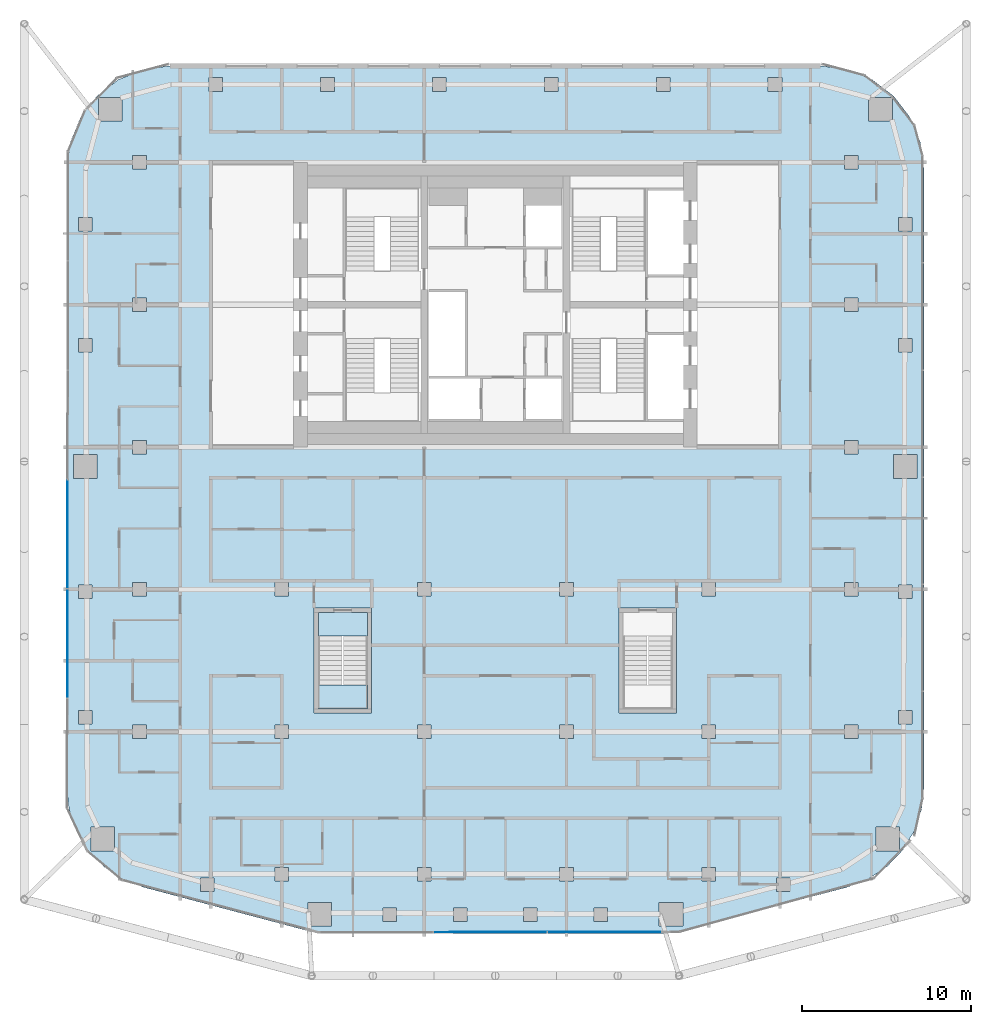
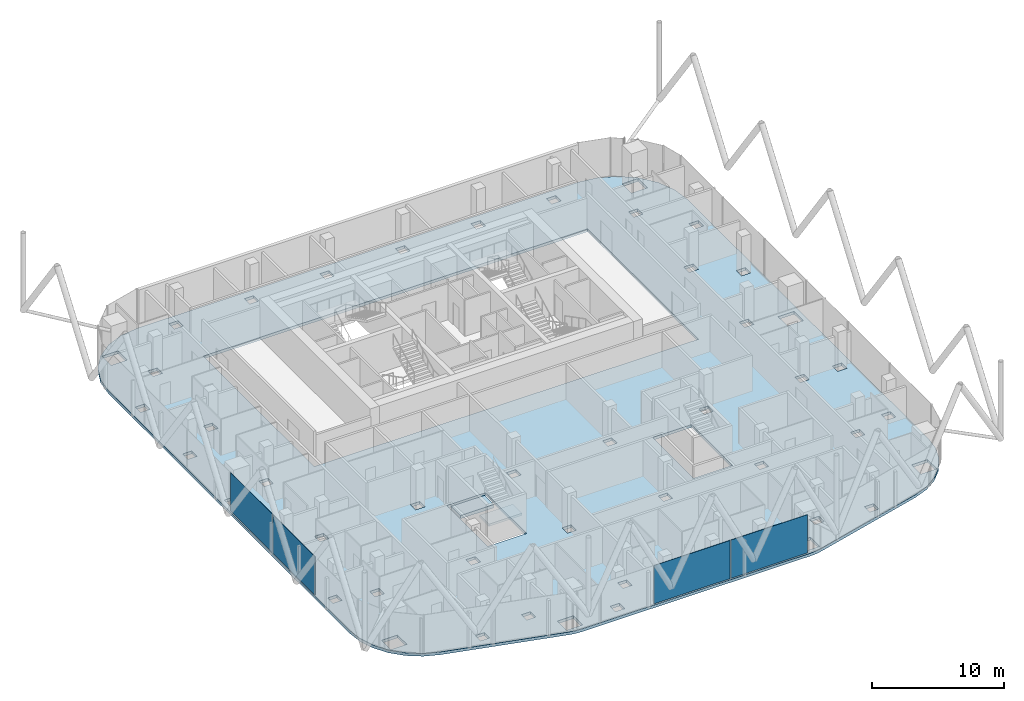
# One storey, part 15 of 28: 4 plates, 3 slabs, 3 elements without a shape of their own.
"""IFC4 building model written with IfcOpenShell, lengths in metres."""

from ifc_helpers import new_model, si_unit, direction, frame, origin, origin_2d, place, context, subcontext, project, spatial, polyline, rectangle, outline, extrude, material, layer, layer_set, type_object, element, aggregate, save


model = new_model("IFC4")

# Units and contexts
model_context = context("Model", 3, precision=1e-05, world=origin(), true_north=direction((0.0, 1.0)))
body_context = subcontext(model_context, "Body", "Model", "MODEL_VIEW")
ifc_project = project(units=[si_unit("LENGTHUNIT", "METRE"), si_unit("AREAUNIT", "SQUARE_METRE"), si_unit("VOLUMEUNIT", "CUBIC_METRE"), si_unit("PLANEANGLEUNIT", "RADIAN"), si_unit("MASSUNIT", "GRAM", prefix="KILO")], contexts=[model_context])

# Site, building, storey
site_placement = place(None, origin())
site = spatial("IfcSite", under=ifc_project, at=site_placement, CompositionType="ELEMENT")
building_placement = place(site_placement, origin())
building = spatial("IfcBuilding", under=site, at=building_placement, Name="Marenta Gate Hotel Tower", CompositionType="ELEMENT")
storey_placement = place(building_placement, frame((0.0, 0.0, 198.5)))
storey = spatial("IfcBuildingStorey", under=building, at=storey_placement, Name="L45", CompositionType="ELEMENT", Elevation=198.5)

# Slab
ifc_material_1 = material(Name="Concrete C35", Category="concrete")
ifc_layer_1 = layer(ifc_material_1, 0.260009765625)
ifc_layer_set_1 = layer_set([ifc_layer_1], Name="Concrete C35")
slab_type_1 = type_object("IfcSlabType", Name="Concrete floor slab 260", PredefinedType="FLOOR", material=ifc_layer_set_1)
slab_1_placement = place(storey_placement, frame((0.0, 0.0, -0.260009765625)))
element("IfcSlab", 1, at=slab_1_placement, inside=storey, type_object=slab_type_1, Name="L45-SL-1", PredefinedType="FLOOR", context=body_context, shape_type="SweptSolid", body=[
    extrude(outline(polyline([(-23.11376953125, -24.76416015625), (-24.035400390625, -23.803955078125), (-24.72705078125, -22.6669921875), (-25.155517578125, -21.4072265625), (-25.300048828125, -20.08984375), (-25.300048828125, 16.406494140625), (-25.093017578125, 17.97900390625), (-24.483642578125, 19.450439453125), (-23.513916015625, 20.7138671875), (-22.25048828125, 21.68359375), (-20.779052734375, 22.29296875), (-19.20654296875, 22.5), (19.20654296875, 22.5), (20.779052734375, 22.29296875), (22.25048828125, 21.68359375), (23.513916015625, 20.7138671875), (24.483642578125, 19.450439453125), (25.093017578125, 17.97900390625), (25.300048828125, 16.406494140625), (25.300048828125, -20.08984375), (25.155517578125, -21.4072265625), (24.72705078125, -22.6669921875), (24.035400390625, -23.803955078125), (23.11376953125, -24.76416015625), (22.005859375, -25.501220703125), (20.76953125, -25.978759765625), (11.026611328125, -28.563720703125), (10.508544921875, -28.665771484375), (9.981689453125, -28.699951171875), (-9.981689453125, -28.699951171875), (-10.508544921875, -28.665771484375), (-11.026611328125, -28.563720703125), (-20.76953125, -25.978759765625), (-22.005859375, -25.501220703125), (-23.11376953125, -24.76416015625)]), holes=[polyline([(-16.800048828125, 0.0), (16.800048828125, 0.0), (16.800048828125, 16.800048828125), (-16.800048828125, 16.800048828125), (-16.800048828125, 0.0)]), polyline([(-16.606689453125, -25.439208984375), (-17.40673828125, -25.439208984375), (-17.40673828125, -26.239013671875), (-16.606689453125, -26.239013671875), (-16.606689453125, -25.439208984375)]), polyline([(-12.199951171875, -25.60009765625), (-12.199951171875, -24.800048828125), (-13.0, -24.800048828125), (-13.0, -25.60009765625), (-12.199951171875, -25.60009765625)]), polyline([(-22.462890625, -23.8330078125), (-22.462890625, -22.43310546875), (-23.863037109375, -22.43310546875), (-23.863037109375, -23.8330078125), (-22.462890625, -23.8330078125)]), polyline([(-12.199951171875, -16.39990234375), (-13.0, -16.39990234375), (-13.0, -17.199951171875), (-12.199951171875, -17.199951171875), (-12.199951171875, -16.39990234375)]), polyline([(-20.60009765625, -17.199951171875), (-20.60009765625, -16.39990234375), (-21.39990234375, -16.39990234375), (-21.39990234375, -17.199951171875), (-20.60009765625, -17.199951171875)]), polyline([(-23.800048828125, -16.351806640625), (-23.800048828125, -15.552001953125), (-24.60009765625, -15.552001953125), (-24.60009765625, -16.351806640625), (-23.800048828125, -16.351806640625)]), polyline([(-23.800048828125, -8.15087890625), (-24.60009765625, -8.15087890625), (-24.60009765625, -8.950927734375), (-23.800048828125, -8.950927734375), (-23.800048828125, -8.15087890625)]), polyline([(-12.199951171875, -8.800048828125), (-12.199951171875, -8.0), (-13.0, -8.0), (-13.0, -8.800048828125), (-12.199951171875, -8.800048828125)]), polyline([(-20.60009765625, -8.800048828125), (-20.60009765625, -8.0), (-21.39990234375, -8.0), (-21.39990234375, -8.800048828125), (-20.60009765625, -8.800048828125)]), polyline([(-23.5, -0.449951171875), (-24.89990234375, -0.449951171875), (-24.89990234375, -1.85009765625), (-23.5, -1.85009765625), (-23.5, -0.449951171875)]), polyline([(-20.60009765625, -0.39990234375), (-20.60009765625, 0.39990234375), (-21.39990234375, 0.39990234375), (-21.39990234375, -0.39990234375), (-20.60009765625, -0.39990234375)]), polyline([(-23.800048828125, 5.603271484375), (-23.800048828125, 6.4033203125), (-24.60009765625, 6.4033203125), (-24.60009765625, 5.603271484375), (-23.800048828125, 5.603271484375)]), polyline([(-20.60009765625, 8.800048828125), (-21.39990234375, 8.800048828125), (-21.39990234375, 8.0), (-20.60009765625, 8.0), (-20.60009765625, 8.800048828125)]), polyline([(-23.800048828125, 12.75634765625), (-23.800048828125, 13.556396484375), (-24.60009765625, 13.556396484375), (-24.60009765625, 12.75634765625), (-23.800048828125, 12.75634765625)]), polyline([(-20.60009765625, 16.39990234375), (-20.60009765625, 17.199951171875), (-21.39990234375, 17.199951171875), (-21.39990234375, 16.39990234375), (-20.60009765625, 16.39990234375)]), polyline([(-22.035400390625, 20.635498046875), (-23.435546875, 20.635498046875), (-23.435546875, 19.235595703125), (-22.035400390625, 19.235595703125), (-22.035400390625, 20.635498046875)]), polyline([(-16.10693359375, 21.0), (-16.10693359375, 21.800048828125), (-16.906982421875, 21.800048828125), (-16.906982421875, 21.0), (-16.10693359375, 21.0)]), polyline([(-5.820068359375, -28.0), (-5.820068359375, -27.199951171875), (-6.6201171875, -27.199951171875), (-6.6201171875, -28.0), (-5.820068359375, -28.0)]), polyline([(6.6201171875, -27.199951171875), (5.820068359375, -27.199951171875), (5.820068359375, -28.0), (6.6201171875, -28.0), (6.6201171875, -27.199951171875)]), polyline([(2.473388671875, -28.0), (2.473388671875, -27.199951171875), (1.67333984375, -27.199951171875), (1.67333984375, -28.0), (2.473388671875, -28.0)]), polyline([(-1.67333984375, -28.0), (-1.67333984375, -27.199951171875), (-2.473388671875, -27.199951171875), (-2.473388671875, -28.0), (-1.67333984375, -28.0)]), polyline([(-9.666259765625, -28.27490234375), (-9.666259765625, -26.874755859375), (-11.06640625, -26.874755859375), (-11.06640625, -28.27490234375), (-9.666259765625, -28.27490234375)]), polyline([(11.06640625, -28.27490234375), (11.06640625, -26.874755859375), (9.666259765625, -26.874755859375), (9.666259765625, -28.27490234375), (11.06640625, -28.27490234375)]), polyline([(13.0, -25.60009765625), (13.0, -24.800048828125), (12.199951171875, -24.800048828125), (12.199951171875, -25.60009765625), (13.0, -25.60009765625)]), polyline([(4.60009765625, -25.60009765625), (4.60009765625, -24.800048828125), (3.800048828125, -24.800048828125), (3.800048828125, -25.60009765625), (4.60009765625, -25.60009765625)]), polyline([(-3.800048828125, -24.800048828125), (-4.60009765625, -24.800048828125), (-4.60009765625, -25.60009765625), (-3.800048828125, -25.60009765625), (-3.800048828125, -24.800048828125)]), polyline([(4.60009765625, -17.199951171875), (4.60009765625, -16.39990234375), (3.800048828125, -16.39990234375), (3.800048828125, -17.199951171875), (4.60009765625, -17.199951171875)]), polyline([(-3.800048828125, -17.199951171875), (-3.800048828125, -16.39990234375), (-4.60009765625, -16.39990234375), (-4.60009765625, -17.199951171875), (-3.800048828125, -17.199951171875)]), polyline([(4.60009765625, -8.0), (3.800048828125, -8.0), (3.800048828125, -8.800048828125), (4.60009765625, -8.800048828125), (4.60009765625, -8.0)]), polyline([(-3.800048828125, -8.800048828125), (-3.800048828125, -8.0), (-4.60009765625, -8.0), (-4.60009765625, -8.800048828125), (-3.800048828125, -8.800048828125)]), polyline([(-2.9013671875, 21.0), (-2.9013671875, 21.800048828125), (-3.701416015625, 21.800048828125), (-3.701416015625, 21.0), (-2.9013671875, 21.0)]), polyline([(3.701416015625, 21.800048828125), (2.9013671875, 21.800048828125), (2.9013671875, 21.0), (3.701416015625, 21.0), (3.701416015625, 21.800048828125)]), polyline([(10.30419921875, 21.0), (10.30419921875, 21.800048828125), (9.504150390625, 21.800048828125), (9.504150390625, 21.0), (10.30419921875, 21.0)]), polyline([(-9.504150390625, 21.0), (-9.504150390625, 21.800048828125), (-10.30419921875, 21.800048828125), (-10.30419921875, 21.0), (-9.504150390625, 21.0)]), polyline([(17.40673828125, -25.439208984375), (16.606689453125, -25.439208984375), (16.606689453125, -26.239013671875), (17.40673828125, -26.239013671875), (17.40673828125, -25.439208984375)]), polyline([(23.863037109375, -23.8330078125), (23.863037109375, -22.43310546875), (22.462890625, -22.43310546875), (22.462890625, -23.8330078125), (23.863037109375, -23.8330078125)]), polyline([(13.0, -17.199951171875), (13.0, -16.39990234375), (12.199951171875, -16.39990234375), (12.199951171875, -17.199951171875), (13.0, -17.199951171875)]), polyline([(21.39990234375, -16.39990234375), (20.60009765625, -16.39990234375), (20.60009765625, -17.199951171875), (21.39990234375, -17.199951171875), (21.39990234375, -16.39990234375)]), polyline([(24.60009765625, -16.351806640625), (24.60009765625, -15.552001953125), (23.800048828125, -15.552001953125), (23.800048828125, -16.351806640625), (24.60009765625, -16.351806640625)]), polyline([(24.60009765625, -8.950927734375), (24.60009765625, -8.15087890625), (23.800048828125, -8.15087890625), (23.800048828125, -8.950927734375), (24.60009765625, -8.950927734375)]), polyline([(13.0, -8.0), (12.199951171875, -8.0), (12.199951171875, -8.800048828125), (13.0, -8.800048828125), (13.0, -8.0)]), polyline([(21.39990234375, -8.800048828125), (21.39990234375, -8.0), (20.60009765625, -8.0), (20.60009765625, -8.800048828125), (21.39990234375, -8.800048828125)]), polyline([(24.89990234375, -1.85009765625), (24.89990234375, -0.449951171875), (23.5, -0.449951171875), (23.5, -1.85009765625), (24.89990234375, -1.85009765625)]), polyline([(21.39990234375, 0.39990234375), (20.60009765625, 0.39990234375), (20.60009765625, -0.39990234375), (21.39990234375, -0.39990234375), (21.39990234375, 0.39990234375)]), polyline([(24.60009765625, 5.603271484375), (24.60009765625, 6.4033203125), (23.800048828125, 6.4033203125), (23.800048828125, 5.603271484375), (24.60009765625, 5.603271484375)]), polyline([(21.39990234375, 8.0), (21.39990234375, 8.800048828125), (20.60009765625, 8.800048828125), (20.60009765625, 8.0), (21.39990234375, 8.0)]), polyline([(24.60009765625, 12.75634765625), (24.60009765625, 13.556396484375), (23.800048828125, 13.556396484375), (23.800048828125, 12.75634765625), (24.60009765625, 12.75634765625)]), polyline([(21.39990234375, 16.39990234375), (21.39990234375, 17.199951171875), (20.60009765625, 17.199951171875), (20.60009765625, 16.39990234375), (21.39990234375, 16.39990234375)]), polyline([(23.435546875, 19.235595703125), (23.435546875, 20.635498046875), (22.035400390625, 20.635498046875), (22.035400390625, 19.235595703125), (23.435546875, 19.235595703125)]), polyline([(16.906982421875, 21.0), (16.906982421875, 21.800048828125), (16.10693359375, 21.800048828125), (16.10693359375, 21.0), (16.906982421875, 21.0)]), polyline([(-7.300048828125, -15.699951171875), (-7.300048828125, -9.5), (-10.699951171875, -9.5), (-10.699951171875, -15.699951171875), (-7.300048828125, -15.699951171875)]), polyline([(10.699951171875, -15.699951171875), (10.699951171875, -9.5), (7.300048828125, -9.5), (7.300048828125, -15.699951171875), (10.699951171875, -15.699951171875)])]), origin(), (0.0, 0.0, 1.0), 0.260009765625),
])

# Curtain wall, plates
ifc_material_2 = material(Name="Tinted insulated glass in bronze anodised frame", Category="glass")
ifc_layer_2 = layer(ifc_material_2, 0.1201171875)
ifc_layer_set_2 = layer_set([ifc_layer_2], Name="Tinted insulated glass in bronze anodised frame")
curtain_wall_type = type_object("IfcCurtainWallType", Name="Tower unitised curtain wall CW1", PredefinedType="NOTDEFINED", material=ifc_layer_set_2)
curtain_wall_1_placement = place(storey_placement, origin())
curtain_wall_1 = element("IfcCurtainWall", 2, at=curtain_wall_1_placement, inside=storey, type_object=curtain_wall_type, Name="CW1 run G04", PredefinedType="NOTDEFINED")
ifc_material_3 = material(Name="Tinted insulated glass", Category="glass")
ifc_layer_3 = layer(ifc_material_3, 0.028076171875)
ifc_layer_set_3 = layer_set([ifc_layer_3], Name="Tinted insulated glass")
plate_type = type_object("IfcPlateType", Name="Glass panel CW1 28 mm tinted insulated unit", PredefinedType="CURTAIN_PANEL", material=ifc_layer_set_3)
plate_1_placement = place(storey_placement, frame((-25.247802734375, -5.143798828125, 0.06005859375), z_axis=(0.0, 0.0, 1.0), x_axis=(-0.001566045546, -0.99999877375, 0.0)))
plate_1 = element("IfcPlate", 3, at=plate_1_placement, type_object=plate_type, Name="CW1 panel 4.1", PredefinedType="CURTAIN_PANEL", context=body_context, shape_type="SweptSolid", body=[
    extrude(rectangle(XDim=6.39990234375, YDim=0.028076171875, at=origin_2d()), origin(), (0.0, 0.0, 1.0), 3.5400390625),
])
plate_2_placement = place(storey_placement, frame((-25.2578125, -11.603759765625, 0.06005859375), z_axis=(0.0, 0.0, 1.0), x_axis=(-0.001566045546, -0.99999877375, 0.0)))
plate_2 = element("IfcPlate", 4, at=plate_2_placement, type_object=plate_type, Name="CW1 panel 5.1", PredefinedType="CURTAIN_PANEL", context=body_context, shape_type="SweptSolid", body=[
    extrude(rectangle(XDim=6.39990234375, YDim=0.028076171875, at=origin_2d()), origin(), (0.0, 0.0, 1.0), 3.5400390625),
])
aggregate(curtain_wall_1, [plate_1, plate_2])

curtain_wall_2_placement = place(storey_placement, origin())
curtain_wall_2 = element("IfcCurtainWall", 5, at=curtain_wall_2_placement, inside=storey, type_object=curtain_wall_type, Name="CW1 run G12", PredefinedType="NOTDEFINED")
plate_3_placement = place(storey_placement, frame((-0.3056640625, -28.630859375, 0.06005859375), z_axis=(0.0, 0.0, 1.0), x_axis=(0.999998649471, 0.001643488917, 0.0)))
plate_3 = element("IfcPlate", 6, at=plate_3_placement, type_object=plate_type, Name="CW1 panel 2.1", PredefinedType="CURTAIN_PANEL", context=body_context, shape_type="SweptSolid", body=[
    extrude(rectangle(XDim=6.673583984375, YDim=0.028076171875, at=origin_2d()), origin(), (0.0, 0.0, 1.0), 3.5400390625),
])
plate_4_placement = place(storey_placement, frame((6.443115234375, -28.619873046875, 0.06005859375), z_axis=(0.0, 0.0, 1.0), x_axis=(0.999998649471, 0.001643488917, 0.0)))
plate_4 = element("IfcPlate", 7, at=plate_4_placement, type_object=plate_type, Name="CW1 panel 3.1", PredefinedType="CURTAIN_PANEL", context=body_context, shape_type="SweptSolid", body=[
    extrude(rectangle(XDim=6.70361328125, YDim=0.028076171875, at=origin_2d()), origin(), (0.0, 0.0, 1.0), 3.5400390625),
])
aggregate(curtain_wall_2, [plate_3, plate_4])

# Stair, slab
ifc_material_4 = material(Name="Concrete C40", Category="concrete")
stair_type = type_object("IfcStairType", Name="Remote exit stair 1400 wide", PredefinedType="HALF_TURN_STAIR", material=ifc_material_4)
stair_placement = place(storey_placement, origin())
stair = element("IfcStair", 8, at=stair_placement, inside=storey, type_object=stair_type, Name="Exit stair RS-Z3-1", PredefinedType="HALF_TURN_STAIR")
ifc_material_5 = material(Name="Concrete C40", Category="concrete")
ifc_layer_4 = layer(ifc_material_5, 0.199951171875)
ifc_layer_set_4 = layer_set([ifc_layer_4], Name="Concrete C40")
slab_type_2 = type_object("IfcSlabType", Name="Remote stair landing 200", PredefinedType="LANDING", material=ifc_layer_set_4)
slab_2_placement = place(storey_placement, frame((0.0, 0.0, 1.60009765625)))
slab_2 = element("IfcSlab", 9, at=slab_2_placement, type_object=slab_type_2, Name="RL-200 RS-Z3-1 landing 1", PredefinedType="LANDING", context=body_context, shape_type="SweptSolid", body=[
    extrude(outline(polyline([(-10.449951171875, -15.449951171875), (-7.550048828125, -15.449951171875), (-7.550048828125, -14.050048828125), (-10.449951171875, -14.050048828125), (-10.449951171875, -15.449951171875)])), origin(), (0.0, 0.0, 1.0), 0.199951171875),
])
aggregate(stair, [slab_2])

# Slab
ifc_material_6 = material(Name="Concrete C40", Category="concrete")
ifc_layer_5 = layer(ifc_material_6, 0.300048828125)
ifc_layer_set_5 = layer_set([ifc_layer_5], Name="Concrete C40")
slab_type_3 = type_object("IfcSlabType", Name="Stair floor landing slab 300", PredefinedType="FLOOR", material=ifc_layer_set_5)
slab_3_placement = place(storey_placement, frame((0.0, 0.0, -0.300048828125)))
element("IfcSlab", 10, at=slab_3_placement, inside=storey, type_object=slab_type_3, Name="L45-RS-Z3-1-CL", PredefinedType="FLOOR", context=body_context, shape_type="SweptSolid", body=[
    extrude(outline(polyline([(-7.550048828125, -11.14990234375), (-7.550048828125, -9.75), (-10.449951171875, -9.75), (-10.449951171875, -11.14990234375), (-7.550048828125, -11.14990234375)])), origin(), (0.0, 0.0, 1.0), 0.300048828125),
])

save(model, "model.ifc")
